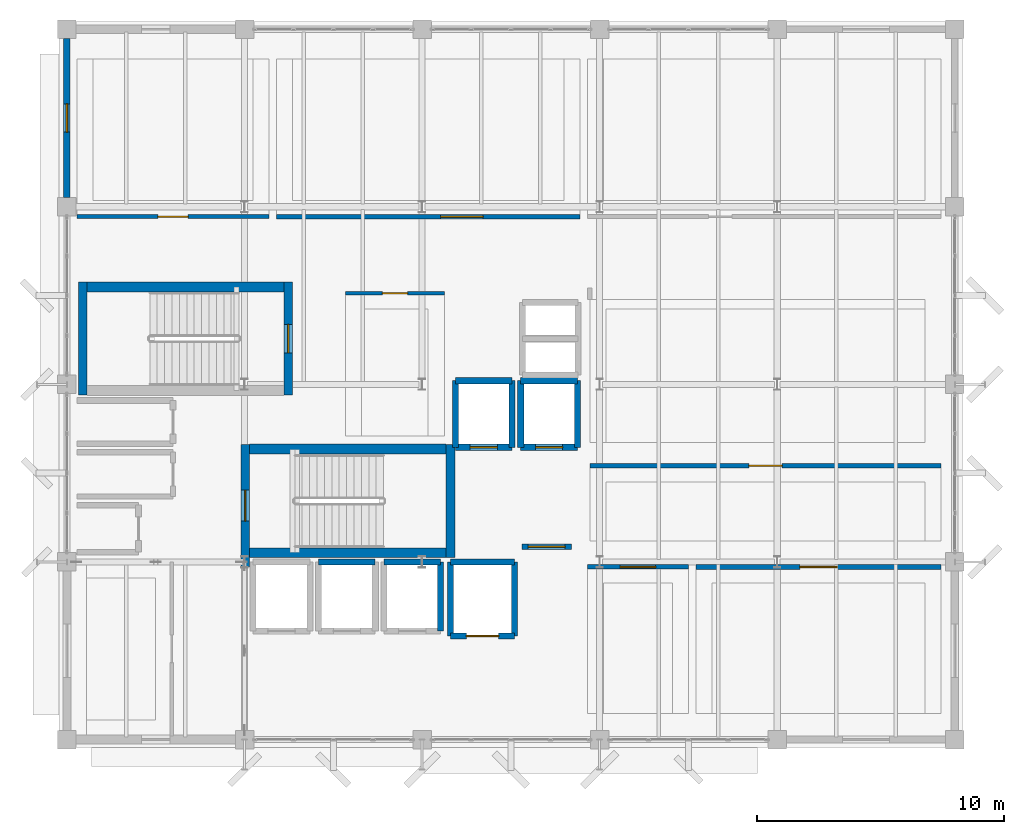
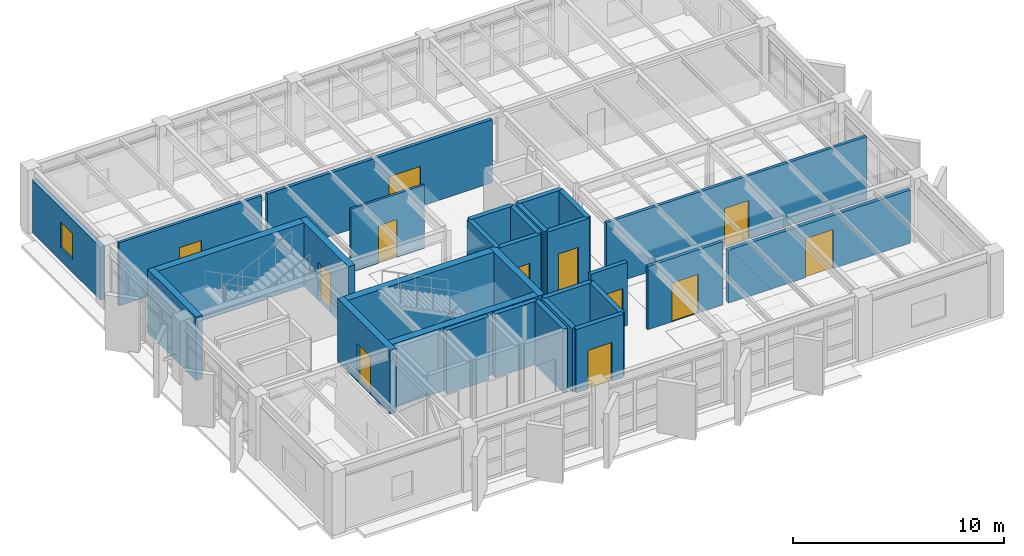
# One storey, part 17 of 24: 30 walls, 12 doors, 1 window, 13 openings.
"""IFC4 building model written with IfcOpenShell, lengths in metres."""

from ifc_helpers import new_model, si_unit, direction, frame, frame_2d, origin, place, context, subcontext, project, spatial, rectangle, extrude, material, layer, layer_set, type_object, element, fill, save


model = new_model("IFC4")

# Units and contexts
model_context = context("Model", 3, precision=1e-05, world=origin(), true_north=direction((0.0, 1.0)))
body_context = subcontext(model_context, "Body", "Model", "MODEL_VIEW")
ifc_project = project(units=[si_unit("LENGTHUNIT", "METRE"), si_unit("AREAUNIT", "SQUARE_METRE"), si_unit("VOLUMEUNIT", "CUBIC_METRE"), si_unit("PLANEANGLEUNIT", "RADIAN"), si_unit("MASSUNIT", "GRAM", prefix="KILO")], contexts=[model_context])

# Site, building, storey
site_placement = place(None, origin())
site = spatial("IfcSite", under=ifc_project, at=site_placement, CompositionType="ELEMENT")
building_placement = place(site_placement, origin())
building = spatial("IfcBuilding", under=site, at=building_placement, Name="Kandorven Conservatory and Botanical Research Centre", CompositionType="ELEMENT")
storey_placement = place(building_placement, frame((0.0, 0.0, 21.0)))
storey = spatial("IfcBuildingStorey", under=building, at=storey_placement, Name="L05", CompositionType="ELEMENT", Elevation=21.0)

# Walls
ifc_material_1 = material(Name="Concrete C40/50 (M50)", Category="concrete")
ifc_layer_1 = layer(ifc_material_1, 0.39990234375)
ifc_layer_set_1 = layer_set([ifc_layer_1], Name="Concrete C40/50 (M50)")
wall_type_1 = type_object("IfcWallType", Name="Wall_CW-RC-1", PredefinedType="SHEAR", material=ifc_layer_set_1)
for number, where, z_axis, x_axis, name in (
    (1, (13.39990234375, 13.574951171875, 0.0), (0.0, 0.0, 1.0), (1.0, 0.0, 0.0), "Core stair shear wall CW-RC-1 ST-T1 L05 side A"),
    (2, (13.39990234375, 17.77490234375, 0.0), (0.0, 0.0, 1.0), (1.0, 0.0, 0.0), "Core stair shear wall CW-RC-1 ST-T1 L05 side B"),
    (3, (14.800048828125, 24.35498046875, 0.0), (0.0, 0.0, 1.0), (-1.0, 0.0, 0.0), "Core stair shear wall CW-RC-1 ST-T2 L05 side A"),
):
    element("IfcWall", number, at=place(storey_placement, frame(where, z_axis=z_axis, x_axis=x_axis)), inside=storey, type_object=wall_type_1, Name=name, PredefinedType="SHEAR", context=body_context, shape_type="SweptSolid", body=[
        extrude(rectangle(XDim=7.97998046875, YDim=0.39990234375, at=frame_2d((3.989990234375, 0.0))), origin(), (0.0, 0.0, 1.0), 3.669921875),
    ])

# Wall, opening, door
ifc_material_2 = material(Name="Concrete C40/50 (M50)", Category="concrete")
ifc_layer_2 = layer(ifc_material_2, 0.35009765625)
ifc_layer_set_2 = layer_set([ifc_layer_2], Name="Concrete C40/50 (M50)")
wall_type_2 = type_object("IfcWallType", Name="Wall_CW-RC-2", PredefinedType="SHEAR", material=ifc_layer_set_2)
wall_1_placement = place(storey_placement, frame((13.22509765625, 13.0, 0.0), z_axis=(0.0, 0.0, 1.0), x_axis=(0.0, 1.0, 0.0)))
wall_1 = element("IfcWall", 4, at=wall_1_placement, inside=storey, type_object=wall_type_2, Name="Core stair shear wall CW-RC-2 ST-T1 L05 entry", PredefinedType="SHEAR", context=body_context, shape_type="SweptSolid", body=[
    extrude(rectangle(XDim=4.969970703125, YDim=0.35009765625, at=frame_2d((2.48486328125, 0.0))), origin(), (0.0, 0.0, 1.0), 3.669921875),
])
opening_1_placement = place(wall_1_placement, frame((1.860107421875, 0.0, 0.0)))
opening_1 = element("IfcOpeningElement", 5, at=opening_1_placement, cuts=wall_1, Name="Opening FD-1", PredefinedType="OPENING", context=body_context, shape_type="SweptSolid", body=[
    extrude(rectangle(XDim=1.25, YDim=2.199951171875, at=frame_2d((0.625, 1.10009765625))), frame((0.0, 0.18505859375, 0.0), z_axis=(0.0, -1.0, 0.0), x_axis=(1.0, 0.0, 0.0)), (0.0, 0.0, 1.0), 0.3701171875),
])
ifc_material_3 = material(Name="Galvanised hollow steel fire door assembly", Category="steel")
door_type_1 = type_object("IfcDoorType", Name="Door_FD-1", OperationType="NOTDEFINED", PredefinedType="DOOR", material=ifc_material_3)
door_1_placement = place(opening_1_placement, origin())
door_1 = element("IfcDoor", 6, at=door_1_placement, inside=storey, type_object=door_type_1, Name="Exit stair fire door FD-1 ST-T1 L05", OperationType="SINGLE_SWING_RIGHT", OverallHeight=2.199951171875, OverallWidth=1.25, PredefinedType="DOOR", context=body_context, shape_type="SweptSolid", body=[
    extrude(rectangle(XDim=1.25, YDim=2.199951171875, at=frame_2d((0.625, 1.10009765625))), frame((0.0, 0.02490234375, 0.0), z_axis=(0.0, -1.0, 0.0), x_axis=(1.0, 0.0, 0.0)), (0.0, 0.0, 1.0), 0.050048828125),
])
fill(opening_1, door_1)

# Wall
wall_2_placement = place(storey_placement, frame((21.554931640625, 13.3798828125, 0.0), z_axis=(0.0, 0.0, 1.0), x_axis=(0.0, 1.0, 0.0)))
element("IfcWall", 7, at=wall_2_placement, inside=storey, type_object=wall_type_2, Name="Core stair shear wall CW-RC-2 ST-T1 L05 far", PredefinedType="SHEAR", context=body_context, shape_type="SweptSolid", body=[
    extrude(rectangle(XDim=4.590087890625, YDim=0.35009765625, at=frame_2d((2.294921875, 0.0))), origin(), (0.0, 0.0, 1.0), 3.669921875),
])

# Wall, opening, door
wall_3_placement = place(storey_placement, frame((14.97509765625, 24.550048828125, 0.0), z_axis=(0.0, 0.0, 1.0), x_axis=(0.0, -1.0, 0.0)))
wall_3 = element("IfcWall", 8, at=wall_3_placement, inside=storey, type_object=wall_type_2, Name="Core stair shear wall CW-RC-2 ST-T2 L05 entry", PredefinedType="SHEAR", context=body_context, shape_type="SweptSolid", body=[
    extrude(rectangle(XDim=4.590087890625, YDim=0.35009765625, at=frame_2d((2.294921875, 0.0))), origin(), (0.0, 0.0, 1.0), 3.669921875),
])
opening_2_placement = place(wall_3_placement, frame((1.719970703125, 0.0, 0.0)))
opening_2 = element("IfcOpeningElement", 9, at=opening_2_placement, cuts=wall_3, Name="Opening FD-2", PredefinedType="OPENING", context=body_context, shape_type="SweptSolid", body=[
    extrude(rectangle(XDim=1.14990234375, YDim=2.199951171875, at=frame_2d((0.574951171875, 1.10009765625))), frame((0.0, 0.18505859375, 0.0), z_axis=(0.0, -1.0, 0.0), x_axis=(1.0, 0.0, 0.0)), (0.0, 0.0, 1.0), 0.3701171875),
])
ifc_material_4 = material(Name="Galvanised hollow steel fire door assembly", Category="steel")
door_type_2 = type_object("IfcDoorType", Name="Door_FD-2", OperationType="NOTDEFINED", PredefinedType="DOOR", material=ifc_material_4)
door_2_placement = place(opening_2_placement, origin())
door_2 = element("IfcDoor", 10, at=door_2_placement, inside=storey, type_object=door_type_2, Name="Exit stair fire door FD-2 ST-T2 L05", OperationType="SINGLE_SWING_RIGHT", OverallHeight=2.199951171875, OverallWidth=1.14990234375, PredefinedType="DOOR", context=body_context, shape_type="SweptSolid", body=[
    extrude(rectangle(XDim=1.14990234375, YDim=2.199951171875, at=frame_2d((0.574951171875, 1.10009765625))), frame((0.0, 0.02490234375, 0.0), z_axis=(0.0, -1.0, 0.0), x_axis=(1.0, 0.0, 0.0)), (0.0, 0.0, 1.0), 0.050048828125),
])
fill(opening_2, door_2)

# Wall
wall_4_placement = place(storey_placement, frame((6.64501953125, 24.550048828125, 0.0), z_axis=(0.0, 0.0, 1.0), x_axis=(0.0, -1.0, 0.0)))
element("IfcWall", 11, at=wall_4_placement, inside=storey, type_object=wall_type_2, Name="Core stair shear wall CW-RC-2 ST-T2 L05 far", PredefinedType="SHEAR", context=body_context, shape_type="SweptSolid", body=[
    extrude(rectangle(XDim=4.590087890625, YDim=0.35009765625, at=frame_2d((2.294921875, 0.0))), origin(), (0.0, 0.0, 1.0), 3.669921875),
])

# Wall, opening, door
wall_5_placement = place(storey_placement, frame((21.75, 17.85009765625, 0.0), z_axis=(0.0, 0.0, 1.0), x_axis=(1.0, 0.0, 0.0)))
wall_5 = element("IfcWall", 12, at=wall_5_placement, inside=storey, type_object=wall_type_2, Name="Lift shaft wall FFL-1 L05 S", PredefinedType="SHEAR", context=body_context, shape_type="SweptSolid", body=[
    extrude(rectangle(XDim=2.300048828125, YDim=0.25, at=frame_2d((1.14990234375, 0.0))), origin(), (0.0, 0.0, 1.0), 3.669921875),
])
opening_3_placement = place(wall_5_placement, frame((0.60009765625, 0.0, 0.0)))
opening_3 = element("IfcOpeningElement", 13, at=opening_3_placement, cuts=wall_5, Name="Opening LD-01", PredefinedType="OPENING", context=body_context, shape_type="SweptSolid", body=[
    extrude(rectangle(XDim=1.10009765625, YDim=2.199951171875, at=frame_2d((0.550048828125, 1.10009765625))), frame((0.0, 0.135009765625, 0.0), z_axis=(0.0, -1.0, 0.0), x_axis=(1.0, 0.0, 0.0)), (0.0, 0.0, 1.0), 0.27001953125),
])
ifc_material_5 = material(Name="Anodised aluminium sliding landing door", Category="aluminium")
door_type_3 = type_object("IfcDoorType", Name="Door_LD-01", OperationType="DOUBLE_DOOR_SLIDING", PredefinedType="DOOR", material=ifc_material_5)
door_3_placement = place(opening_3_placement, origin())
door_3 = element("IfcDoor", 14, at=door_3_placement, inside=storey, type_object=door_type_3, Name="Lift landing sliding door LD-01 (FFL-1 L05)", OperationType="DOUBLE_DOOR_SLIDING", OverallHeight=2.199951171875, OverallWidth=1.10009765625, PredefinedType="DOOR", context=body_context, shape_type="SweptSolid", body=[
    extrude(rectangle(XDim=1.10009765625, YDim=2.199951171875, at=frame_2d((0.550048828125, 1.10009765625))), frame((0.0, 0.02490234375, 0.0), z_axis=(0.0, -1.0, 0.0), x_axis=(1.0, 0.0, 0.0)), (0.0, 0.0, 1.0), 0.050048828125),
])
fill(opening_3, door_3)

# Walls
wall_6_placement = place(storey_placement, frame((21.75, 20.550048828125, 0.0), z_axis=(0.0, 0.0, 1.0), x_axis=(1.0, 0.0, 0.0)))
element("IfcWall", 15, at=wall_6_placement, inside=storey, type_object=wall_type_2, Name="Lift shaft wall FFL-1 L05 N", PredefinedType="SHEAR", context=body_context, shape_type="SweptSolid", body=[
    extrude(rectangle(XDim=2.300048828125, YDim=0.25, at=frame_2d((1.14990234375, 0.0))), origin(), (0.0, 0.0, 1.0), 3.669921875),
])
for number, where, z_axis, x_axis, name in (
    (16, (21.75, 17.85009765625, 0.0), (0.0, 0.0, 1.0), (0.0, 1.0, 0.0), "Lift shaft wall FFL-1 L05 W"),
    (17, (24.050048828125, 17.85009765625, 0.0), (0.0, 0.0, 1.0), (0.0, 1.0, 0.0), "Lift shaft wall FFL-1 L05 E"),
):
    element("IfcWall", number, at=place(storey_placement, frame(where, z_axis=z_axis, x_axis=x_axis)), inside=storey, type_object=wall_type_2, Name=name, PredefinedType="SHEAR", context=body_context, shape_type="SweptSolid", body=[
        extrude(rectangle(XDim=2.699951171875, YDim=0.25, at=frame_2d((1.35009765625, 0.0))), origin(), (0.0, 0.0, 1.0), 3.669921875),
    ])

# Wall, opening, door
wall_7_placement = place(storey_placement, frame((24.39990234375, 17.85009765625, 0.0), z_axis=(0.0, 0.0, 1.0), x_axis=(1.0, 0.0, 0.0)))
wall_7 = element("IfcWall", 18, at=wall_7_placement, inside=storey, type_object=wall_type_2, Name="Lift shaft wall FFL-2 L05 S", PredefinedType="SHEAR", context=body_context, shape_type="SweptSolid", body=[
    extrude(rectangle(XDim=2.300048828125, YDim=0.25, at=frame_2d((1.14990234375, 0.0))), origin(), (0.0, 0.0, 1.0), 3.669921875),
])
opening_4_placement = place(wall_7_placement, frame((0.60009765625, 0.0, 0.0)))
opening_4 = element("IfcOpeningElement", 19, at=opening_4_placement, cuts=wall_7, Name="Opening LD-01", PredefinedType="OPENING", context=body_context, shape_type="SweptSolid", body=[
    extrude(rectangle(XDim=1.10009765625, YDim=2.199951171875, at=frame_2d((0.550048828125, 1.10009765625))), frame((0.0, 0.135009765625, 0.0), z_axis=(0.0, -1.0, 0.0), x_axis=(1.0, 0.0, 0.0)), (0.0, 0.0, 1.0), 0.27001953125),
])
door_4_placement = place(opening_4_placement, origin())
door_4 = element("IfcDoor", 20, at=door_4_placement, inside=storey, type_object=door_type_3, Name="Lift landing sliding door LD-01 (FFL-2 L05)", OperationType="DOUBLE_DOOR_SLIDING", OverallHeight=2.199951171875, OverallWidth=1.10009765625, PredefinedType="DOOR", context=body_context, shape_type="SweptSolid", body=[
    extrude(rectangle(XDim=1.10009765625, YDim=2.199951171875, at=frame_2d((0.550048828125, 1.10009765625))), frame((0.0, 0.02490234375, 0.0), z_axis=(0.0, -1.0, 0.0), x_axis=(1.0, 0.0, 0.0)), (0.0, 0.0, 1.0), 0.050048828125),
])
fill(opening_4, door_4)

# Walls
wall_8_placement = place(storey_placement, frame((24.39990234375, 20.550048828125, 0.0), z_axis=(0.0, 0.0, 1.0), x_axis=(1.0, 0.0, 0.0)))
element("IfcWall", 21, at=wall_8_placement, inside=storey, type_object=wall_type_2, Name="Lift shaft wall FFL-2 L05 N", PredefinedType="SHEAR", context=body_context, shape_type="SweptSolid", body=[
    extrude(rectangle(XDim=2.300048828125, YDim=0.25, at=frame_2d((1.14990234375, 0.0))), origin(), (0.0, 0.0, 1.0), 3.669921875),
])
for number, where, z_axis, x_axis, name in (
    (22, (24.39990234375, 17.85009765625, 0.0), (0.0, 0.0, 1.0), (0.0, 1.0, 0.0), "Lift shaft wall FFL-2 L05 W"),
    (23, (26.699951171875, 17.85009765625, 0.0), (0.0, 0.0, 1.0), (0.0, 1.0, 0.0), "Lift shaft wall FFL-2 L05 E"),
):
    element("IfcWall", number, at=place(storey_placement, frame(where, z_axis=z_axis, x_axis=x_axis)), inside=storey, type_object=wall_type_2, Name=name, PredefinedType="SHEAR", context=body_context, shape_type="SweptSolid", body=[
        extrude(rectangle(XDim=2.699951171875, YDim=0.25, at=frame_2d((1.35009765625, 0.0))), origin(), (0.0, 0.0, 1.0), 3.669921875),
    ])
wall_9_placement = place(storey_placement, frame((16.199951171875, 13.199951171875, 0.0), z_axis=(0.0, 0.0, 1.0), x_axis=(1.0, 0.0, 0.0)))
element("IfcWall", 24, at=wall_9_placement, inside=storey, type_object=wall_type_2, Name="Lift shaft wall PL-2 L05 N", PredefinedType="SHEAR", context=body_context, shape_type="SweptSolid", body=[
    extrude(rectangle(XDim=2.300048828125, YDim=0.25, at=frame_2d((1.14990234375, 0.0))), origin(), (0.0, 0.0, 1.0), 3.669921875),
])
wall_10_placement = place(storey_placement, frame((18.85009765625, 13.199951171875, 0.0), z_axis=(0.0, 0.0, 1.0), x_axis=(1.0, 0.0, 0.0)))
element("IfcWall", 25, at=wall_10_placement, inside=storey, type_object=wall_type_2, Name="Lift shaft wall PL-3 L05 N", PredefinedType="SHEAR", context=body_context, shape_type="SweptSolid", body=[
    extrude(rectangle(XDim=2.2998046875, YDim=0.25, at=frame_2d((1.14990234375, 0.0))), origin(), (0.0, 0.0, 1.0), 3.669921875),
])
wall_11_placement = place(storey_placement, frame((21.14990234375, 10.39990234375, 0.0), z_axis=(0.0, 0.0, 1.0), x_axis=(0.0, 1.0, 0.0)))
element("IfcWall", 26, at=wall_11_placement, inside=storey, type_object=wall_type_2, Name="Lift shaft wall PL-3 L05 E", PredefinedType="SHEAR", context=body_context, shape_type="SweptSolid", body=[
    extrude(rectangle(XDim=2.800048828125, YDim=0.25, at=frame_2d((1.39990234375, 0.0))), origin(), (0.0, 0.0, 1.0), 3.669921875),
])

# Wall, opening, door
wall_12_placement = place(storey_placement, frame((21.550048828125, 10.199951171875, 0.0), z_axis=(0.0, 0.0, 1.0), x_axis=(1.0, 0.0, 0.0)))
wall_12 = element("IfcWall", 27, at=wall_12_placement, inside=storey, type_object=wall_type_2, Name="Lift shaft wall GL-1 L05 S", PredefinedType="SHEAR", context=body_context, shape_type="SweptSolid", body=[
    extrude(rectangle(XDim=2.599853515625, YDim=0.25, at=frame_2d((1.2998046875, 0.0))), origin(), (0.0, 0.0, 1.0), 3.669921875),
])
opening_5_placement = place(wall_12_placement, frame((0.64990234375, 0.0, 0.0)))
opening_5 = element("IfcOpeningElement", 28, at=opening_5_placement, cuts=wall_12, Name="Opening LD-02", PredefinedType="OPENING", context=body_context, shape_type="SweptSolid", body=[
    extrude(rectangle(XDim=1.300048828125, YDim=2.25, at=frame_2d((0.64990234375, 1.125))), frame((0.0, 0.135009765625, 0.0), z_axis=(0.0, -1.0, 0.0), x_axis=(1.0, 0.0, 0.0)), (0.0, 0.0, 1.0), 0.27001953125),
])
ifc_material_6 = material(Name="Anodised aluminium sliding landing door", Category="aluminium")
door_type_4 = type_object("IfcDoorType", Name="Door_LD-02", OperationType="DOUBLE_DOOR_SLIDING", PredefinedType="DOOR", material=ifc_material_6)
door_5_placement = place(opening_5_placement, origin())
door_5 = element("IfcDoor", 29, at=door_5_placement, inside=storey, type_object=door_type_4, Name="Lift landing sliding door LD-02 (GL-1 L05)", OperationType="DOUBLE_DOOR_SLIDING", OverallHeight=2.25, OverallWidth=1.300048828125, PredefinedType="DOOR", context=body_context, shape_type="SweptSolid", body=[
    extrude(rectangle(XDim=1.300048828125, YDim=2.25, at=frame_2d((0.64990234375, 1.125))), frame((0.0, 0.02490234375, 0.0), z_axis=(0.0, -1.0, 0.0), x_axis=(1.0, 0.0, 0.0)), (0.0, 0.0, 1.0), 0.050048828125),
])
fill(opening_5, door_5)

# Walls
wall_13_placement = place(storey_placement, frame((21.550048828125, 13.199951171875, 0.0), z_axis=(0.0, 0.0, 1.0), x_axis=(1.0, 0.0, 0.0)))
element("IfcWall", 30, at=wall_13_placement, inside=storey, type_object=wall_type_2, Name="Lift shaft wall GL-1 L05 N", PredefinedType="SHEAR", context=body_context, shape_type="SweptSolid", body=[
    extrude(rectangle(XDim=2.599853515625, YDim=0.25, at=frame_2d((1.2998046875, 0.0))), origin(), (0.0, 0.0, 1.0), 3.669921875),
])
for number, where, z_axis, x_axis, name in (
    (31, (21.550048828125, 10.199951171875, 0.0), (0.0, 0.0, 1.0), (0.0, 1.0, 0.0), "Lift shaft wall GL-1 L05 W"),
    (32, (24.14990234375, 10.199951171875, 0.0), (0.0, 0.0, 1.0), (0.0, 1.0, 0.0), "Lift shaft wall GL-1 L05 E"),
):
    element("IfcWall", number, at=place(storey_placement, frame(where, z_axis=z_axis, x_axis=x_axis)), inside=storey, type_object=wall_type_2, Name=name, PredefinedType="SHEAR", context=body_context, shape_type="SweptSolid", body=[
        extrude(rectangle(XDim=3.0, YDim=0.25, at=frame_2d((1.5, 0.0))), origin(), (0.0, 0.0, 1.0), 3.669921875),
    ])

# Wall, opening, window
ifc_material_7 = material(Name="Concrete C32/40 (M40)", Category="concrete")
ifc_layer_3 = layer(ifc_material_7, 0.260009765625)
ifc_layer_set_3 = layer_set([ifc_layer_3], Name="Concrete C32/40 (M40)")
wall_type_3 = type_object("IfcWallType", Name="Wall_EW-06", PredefinedType="STANDARD", material=ifc_layer_set_3)
wall_14_placement = place(storey_placement, frame((6.0, 27.97509765625, 0.0), z_axis=(0.0, 0.0, 1.0), x_axis=(0.0, 1.0, 0.0)))
wall_14 = element("IfcWall", 33, at=wall_14_placement, inside=storey, type_object=wall_type_3, Name="Tower concrete facade wall EW-06 W L05", PredefinedType="STANDARD", context=body_context, shape_type="SweptSolid", body=[
    extrude(rectangle(XDim=6.449951171875, YDim=0.260009765625, at=frame_2d((3.22509765625, 0.0))), origin(), (0.0, 0.0, 1.0), 3.050048828125),
])
opening_6_placement = place(wall_14_placement, frame((2.64990234375, 0.0, 0.75)))
opening_6 = element("IfcOpeningElement", 34, at=opening_6_placement, cuts=wall_14, Name="Opening W-39", PredefinedType="OPENING", context=body_context, shape_type="SweptSolid", body=[
    extrude(rectangle(XDim=1.14990234375, YDim=1.5, at=frame_2d((0.574951171875, 0.75))), frame((0.0, 0.139892578125, 0.0), z_axis=(0.0, -1.0, 0.0), x_axis=(1.0, 0.0, 0.0)), (0.0, 0.0, 1.0), 0.280029296875),
])
ifc_material_8 = material(Name="Double-glazed solar-control low-E glass", Category="glass")
window_type = type_object("IfcWindowType", Name="Win_W-39", PartitioningType="DOUBLE_PANEL_VERTICAL", PredefinedType="WINDOW", material=ifc_material_8)
window_placement = place(opening_6_placement, origin())
window = element("IfcWindow", 35, at=window_placement, inside=storey, type_object=window_type, Name="Tower recessed solar window W-39", OverallHeight=1.5, OverallWidth=1.14990234375, PartitioningType="SINGLE_PANEL", PredefinedType="WINDOW", context=body_context, shape_type="SweptSolid", body=[
    extrude(rectangle(XDim=1.14990234375, YDim=1.5, at=frame_2d((0.574951171875, 0.75))), frame((0.0, 0.030029296875, 0.0), z_axis=(0.0, -1.0, 0.0), x_axis=(1.0, 0.0, 0.0)), (0.0, 0.0, 1.0), 0.06005859375),
])
fill(opening_6, window)

# Wall, opening, door
ifc_material_9 = material(Name="Autoclaved aerated concrete blockwork masonry", Category="masonry")
ifc_layer_4 = layer(ifc_material_9, 0.2099609375)
ifc_layer_set_4 = layer_set([ifc_layer_4], Name="Autoclaved aerated concrete blockwork masonry")
wall_type_4 = type_object("IfcWallType", Name="Wall_IW-01", PredefinedType="PARTITIONING", material=ifc_layer_set_4)
wall_15_placement = place(storey_placement, frame((31.5, 13.0, 0.0), z_axis=(0.0, 0.0, 1.0), x_axis=(1.0, 0.0, 0.0)))
wall_15 = element("IfcWall", 36, at=wall_15_placement, inside=storey, type_object=wall_type_4, Name="Interior partition wall IW-01 (Seed Biology Research Laboratory L05)", PredefinedType="PARTITIONING", context=body_context, shape_type="SweptSolid", body=[
    extrude(rectangle(XDim=9.949951171875, YDim=0.2099609375, at=frame_2d((4.97509765625, 0.0))), origin(), (0.0, 0.0, 1.0), 3.06005859375),
])
opening_7_placement = place(wall_15_placement, frame((4.215087890625, 0.0, 0.0)))
opening_7 = element("IfcOpeningElement", 37, at=opening_7_placement, cuts=wall_15, Name="Opening D-26", PredefinedType="OPENING", context=body_context, shape_type="SweptSolid", body=[
    extrude(rectangle(XDim=1.52001953125, YDim=2.260009765625, at=frame_2d((0.760009765625, 1.1298828125))), frame((0.0, 0.114990234375, 0.0), z_axis=(0.0, -1.0, 0.0), x_axis=(1.0, 0.0, 0.0)), (0.0, 0.0, 1.0), 0.22998046875),
])
ifc_material_10 = material(Name="Solid core acoustic teak-veneered timber leaf", Category="wood")
door_type_5 = type_object("IfcDoorType", Name="Door_D-26", OperationType="NOTDEFINED", PredefinedType="DOOR", material=ifc_material_10)
door_6_placement = place(opening_7_placement, origin())
door_6 = element("IfcDoor", 38, at=door_6_placement, inside=storey, type_object=door_type_5, Name="Interior door D-26 to Seed Biology Research Laboratory L05", OperationType="SINGLE_SWING_RIGHT", OverallHeight=2.260009765625, OverallWidth=1.52001953125, PredefinedType="DOOR", context=body_context, shape_type="SweptSolid", body=[
    extrude(rectangle(XDim=1.52001953125, YDim=2.260009765625, at=frame_2d((0.760009765625, 1.1298828125))), frame((0.0, 0.02490234375, 0.0), z_axis=(0.0, -1.0, 0.0), x_axis=(1.0, 0.0, 0.0)), (0.0, 0.0, 1.0), 0.050048828125),
])
fill(opening_7, door_6)

ifc_material_11 = material(Name="Autoclaved aerated concrete blockwork masonry", Category="masonry")
ifc_layer_5 = layer(ifc_material_11, 0.179931640625)
ifc_layer_set_5 = layer_set([ifc_layer_5], Name="Autoclaved aerated concrete blockwork masonry")
wall_type_5 = type_object("IfcWallType", Name="Wall_IW-03", PredefinedType="PARTITIONING", material=ifc_layer_set_5)
wall_16_placement = place(storey_placement, frame((14.5, 27.199951171875, 0.0), z_axis=(0.0, 0.0, 1.0), x_axis=(1.0, 0.0, 0.0)))
wall_16 = element("IfcWall", 39, at=wall_16_placement, inside=storey, type_object=wall_type_5, Name="Interior partition wall IW-03 (Genomics and Bioinformatics Laboratory L05)", PredefinedType="PARTITIONING", context=body_context, shape_type="SweptSolid", body=[
    extrude(rectangle(XDim=12.300048828125, YDim=0.179931640625, at=frame_2d((6.14990234375, 0.0))), origin(), (0.0, 0.0, 1.0), 3.64990234375),
])
opening_8_placement = place(wall_16_placement, frame((6.652099609375, 0.0, 0.0)))
opening_8 = element("IfcOpeningElement", 40, at=opening_8_placement, cuts=wall_16, Name="Opening D-28", PredefinedType="OPENING", context=body_context, shape_type="SweptSolid", body=[
    extrude(rectangle(XDim=1.719970703125, YDim=2.320068359375, at=frame_2d((0.85986328125, 1.16015625))), frame((0.0, 0.099853515625, 0.0), z_axis=(0.0, -1.0, 0.0), x_axis=(1.0, 0.0, 0.0)), (0.0, 0.0, 1.0), 0.199951171875),
])
ifc_material_12 = material(Name="Solid core acoustic teak-veneered timber leaf", Category="wood")
door_type_6 = type_object("IfcDoorType", Name="Door_D-28", OperationType="NOTDEFINED", PredefinedType="DOOR", material=ifc_material_12)
door_7_placement = place(opening_8_placement, frame((1.719970703125, 0.0, 0.0), z_axis=(0.0, 0.0, 1.0), x_axis=(-1.0, 0.0, 0.0)))
door_7 = element("IfcDoor", 41, at=door_7_placement, inside=storey, type_object=door_type_6, Name="Interior door D-28 to Genomics and Bioinformatics Laboratory L05", OperationType="DOUBLE_DOOR_SINGLE_SWING", OverallHeight=2.320068359375, OverallWidth=1.719970703125, PredefinedType="DOOR", context=body_context, shape_type="SweptSolid", body=[
    extrude(rectangle(XDim=1.719970703125, YDim=2.320068359375, at=frame_2d((0.85986328125, 1.16015625))), frame((0.0, 0.02490234375, 0.0), z_axis=(0.0, -1.0, 0.0), x_axis=(1.0, 0.0, 0.0)), (0.0, 0.0, 1.0), 0.050048828125),
])
fill(opening_8, door_7)

ifc_material_13 = material(Name="Fire-rated acoustic gypsum board partition", Category="gypsum")
ifc_layer_6 = layer(ifc_material_13, 0.135986328125)
ifc_layer_set_6 = layer_set([ifc_layer_6], Name="Fire-rated acoustic gypsum board partition")
wall_type_6 = type_object("IfcWallType", Name="Wall_IW-14", PredefinedType="PARTITIONING", material=ifc_layer_set_6)
wall_17_placement = place(storey_placement, frame((17.300048828125, 24.10009765625, 0.0), z_axis=(0.0, 0.0, 1.0), x_axis=(1.0, 0.0, 0.0)))
wall_17 = element("IfcWall", 42, at=wall_17_placement, inside=storey, type_object=wall_type_6, Name="Interior partition wall IW-14 (Botanical Specimen Preparation Laboratory L05)", PredefinedType="PARTITIONING", context=body_context, shape_type="SweptSolid", body=[
    extrude(rectangle(XDim=4.0, YDim=0.135986328125, at=frame_2d((2.0, 0.0))), origin(), (0.0, 0.0, 1.0), 3.64990234375),
])
opening_9_placement = place(wall_17_placement, frame((1.489990234375, 0.0, 0.0)))
opening_9 = element("IfcOpeningElement", 43, at=opening_9_placement, cuts=wall_17, Name="Opening D-21", PredefinedType="OPENING", context=body_context, shape_type="SweptSolid", body=[
    extrude(rectangle(XDim=1.02001953125, YDim=2.179931640625, at=frame_2d((0.510009765625, 1.08984375))), frame((0.0, 0.077880859375, 0.0), z_axis=(0.0, -1.0, 0.0), x_axis=(1.0, 0.0, 0.0)), (0.0, 0.0, 1.0), 0.156005859375),
])
ifc_material_14 = material(Name="Solid core acoustic teak-veneered timber leaf", Category="wood")
door_type_7 = type_object("IfcDoorType", Name="Door_D-21", OperationType="NOTDEFINED", PredefinedType="DOOR", material=ifc_material_14)
door_8_placement = place(opening_9_placement, origin())
door_8 = element("IfcDoor", 44, at=door_8_placement, inside=storey, type_object=door_type_7, Name="Interior door D-21 to Botanical Specimen Preparation Laboratory L05", OperationType="SINGLE_SWING_LEFT", OverallHeight=2.179931640625, OverallWidth=1.02001953125, PredefinedType="DOOR", context=body_context, shape_type="SweptSolid", body=[
    extrude(rectangle(XDim=1.02001953125, YDim=2.179931640625, at=frame_2d((0.510009765625, 1.08984375))), frame((0.0, 0.02490234375, 0.0), z_axis=(0.0, -1.0, 0.0), x_axis=(1.0, 0.0, 0.0)), (0.0, 0.0, 1.0), 0.050048828125),
])
fill(opening_9, door_8)

ifc_material_15 = material(Name="Autoclaved aerated concrete blockwork masonry", Category="masonry")
ifc_layer_7 = layer(ifc_material_15, 0.157958984375)
ifc_layer_set_7 = layer_set([ifc_layer_7], Name="Autoclaved aerated concrete blockwork masonry")
wall_type_7 = type_object("IfcWallType", Name="Wall_IW-16", PredefinedType="PARTITIONING", material=ifc_layer_set_7)
wall_18_placement = place(storey_placement, frame((6.39990234375, 27.199951171875, 0.0), z_axis=(0.0, 0.0, 1.0), x_axis=(1.0, 0.0, 0.0)))
wall_18 = element("IfcWall", 45, at=wall_18_placement, inside=storey, type_object=wall_type_7, Name="Interior partition wall IW-16 (Ethnobotany Field Specimen Studio L05)", PredefinedType="PARTITIONING", context=body_context, shape_type="SweptSolid", body=[
    extrude(rectangle(XDim=7.800048828125, YDim=0.157958984375, at=frame_2d((3.89990234375, 0.0))), origin(), (0.0, 0.0, 1.0), 3.64990234375),
])
opening_10_placement = place(wall_18_placement, frame((3.2900390625, 0.0, 0.0)))
opening_10 = element("IfcOpeningElement", 46, at=opening_10_placement, cuts=wall_18, Name="Opening D-23", PredefinedType="OPENING", context=body_context, shape_type="SweptSolid", body=[
    extrude(rectangle(XDim=1.219970703125, YDim=2.219970703125, at=frame_2d((0.60986328125, 1.10986328125))), frame((0.0, 0.0888671875, 0.0), z_axis=(0.0, -1.0, 0.0), x_axis=(1.0, 0.0, 0.0)), (0.0, 0.0, 1.0), 0.177978515625),
])
ifc_material_16 = material(Name="Solid core acoustic teak-veneered timber leaf", Category="wood")
door_type_8 = type_object("IfcDoorType", Name="Door_D-23", OperationType="NOTDEFINED", PredefinedType="DOOR", material=ifc_material_16)
door_9_placement = place(opening_10_placement, origin())
door_9 = element("IfcDoor", 47, at=door_9_placement, inside=storey, type_object=door_type_8, Name="Interior door D-23 to Ethnobotany Field Specimen Studio L05", OperationType="SINGLE_SWING_LEFT", OverallHeight=2.219970703125, OverallWidth=1.219970703125, PredefinedType="DOOR", context=body_context, shape_type="SweptSolid", body=[
    extrude(rectangle(XDim=1.219970703125, YDim=2.219970703125, at=frame_2d((0.60986328125, 1.10986328125))), frame((0.0, 0.02490234375, 0.0), z_axis=(0.0, -1.0, 0.0), x_axis=(1.0, 0.0, 0.0)), (0.0, 0.0, 1.0), 0.050048828125),
])
fill(opening_10, door_9)

ifc_material_17 = material(Name="Autoclaved aerated concrete blockwork masonry", Category="masonry")
ifc_layer_8 = layer(ifc_material_17, 0.172119140625)
ifc_layer_set_8 = layer_set([ifc_layer_8], Name="Autoclaved aerated concrete blockwork masonry")
wall_type_8 = type_object("IfcWallType", Name="Wall_IW-17", PredefinedType="PARTITIONING", material=ifc_layer_set_8)
wall_19_placement = place(storey_placement, frame((27.199951171875, 17.10009765625, 0.0), z_axis=(0.0, 0.0, 1.0), x_axis=(1.0, 0.0, 0.0)))
wall_19 = element("IfcWall", 48, at=wall_19_placement, inside=storey, type_object=wall_type_8, Name="Interior partition wall IW-17 (Plant Pathology Research Laboratory L05)", PredefinedType="PARTITIONING", context=body_context, shape_type="SweptSolid", body=[
    extrude(rectangle(XDim=14.25, YDim=0.172119140625, at=frame_2d((7.125, 0.0))), origin(), (0.0, 0.0, 1.0), 3.64990234375),
])
opening_11_placement = place(wall_19_placement, frame((6.455078125, 0.0, 0.0)))
opening_11 = element("IfcOpeningElement", 49, at=opening_11_placement, cuts=wall_19, Name="Opening D-24", PredefinedType="OPENING", context=body_context, shape_type="SweptSolid", body=[
    extrude(rectangle(XDim=1.340087890625, YDim=2.219970703125, at=frame_2d((0.669921875, 1.10986328125))), frame((0.0, 0.095947265625, 0.0), z_axis=(0.0, -1.0, 0.0), x_axis=(1.0, 0.0, 0.0)), (0.0, 0.0, 1.0), 0.192138671875),
])
ifc_material_18 = material(Name="Solid core acoustic teak-veneered timber leaf", Category="wood")
door_type_9 = type_object("IfcDoorType", Name="Door_D-24", OperationType="NOTDEFINED", PredefinedType="DOOR", material=ifc_material_18)
door_10_placement = place(opening_11_placement, origin())
door_10 = element("IfcDoor", 50, at=door_10_placement, inside=storey, type_object=door_type_9, Name="Interior door D-24 to Plant Pathology Research Laboratory L05", OperationType="SINGLE_SWING_RIGHT", OverallHeight=2.219970703125, OverallWidth=1.340087890625, PredefinedType="DOOR", context=body_context, shape_type="SweptSolid", body=[
    extrude(rectangle(XDim=1.340087890625, YDim=2.219970703125, at=frame_2d((0.669921875, 1.10986328125))), frame((0.0, 0.02490234375, 0.0), z_axis=(0.0, -1.0, 0.0), x_axis=(1.0, 0.0, 0.0)), (0.0, 0.0, 1.0), 0.050048828125),
])
fill(opening_11, door_10)

ifc_material_19 = material(Name="Autoclaved aerated concrete blockwork masonry", Category="masonry")
ifc_layer_9 = layer(ifc_material_19, 0.18798828125)
ifc_layer_set_9 = layer_set([ifc_layer_9], Name="Autoclaved aerated concrete blockwork masonry")
wall_type_9 = type_object("IfcWallType", Name="Wall_IW-18", PredefinedType="PARTITIONING", material=ifc_layer_set_9)
wall_20_placement = place(storey_placement, frame((27.10009765625, 13.0, 0.0), z_axis=(0.0, 0.0, 1.0), x_axis=(1.0, 0.0, 0.0)))
wall_20 = element("IfcWall", 51, at=wall_20_placement, inside=storey, type_object=wall_type_9, Name="Interior partition wall IW-18 (Phytochemistry Research Laboratory L05)", PredefinedType="PARTITIONING", context=body_context, shape_type="SweptSolid", body=[
    extrude(rectangle(XDim=4.099853515625, YDim=0.18798828125, at=frame_2d((2.0498046875, 0.0))), origin(), (0.0, 0.0, 1.0), 3.64990234375),
])
opening_12_placement = place(wall_20_placement, frame((1.330078125, 0.0, 0.0)))
opening_12 = element("IfcOpeningElement", 52, at=opening_12_placement, cuts=wall_20, Name="Opening D-25", PredefinedType="OPENING", context=body_context, shape_type="SweptSolid", body=[
    extrude(rectangle(XDim=1.43994140625, YDim=2.239990234375, at=frame_2d((0.719970703125, 1.1201171875))), frame((0.0, 0.10400390625, 0.0), z_axis=(0.0, -1.0, 0.0), x_axis=(1.0, 0.0, 0.0)), (0.0, 0.0, 1.0), 0.2080078125),
])
ifc_material_20 = material(Name="Solid core acoustic teak-veneered timber leaf", Category="wood")
door_type_10 = type_object("IfcDoorType", Name="Door_D-25", OperationType="NOTDEFINED", PredefinedType="DOOR", material=ifc_material_20)
door_11_placement = place(opening_12_placement, frame((1.43994140625, 0.0, 0.0), z_axis=(0.0, 0.0, 1.0), x_axis=(-1.0, 0.0, 0.0)))
door_11 = element("IfcDoor", 53, at=door_11_placement, inside=storey, type_object=door_type_10, Name="Interior door D-25 to Phytochemistry Research Laboratory L05", OperationType="SINGLE_SWING_LEFT", OverallHeight=2.239990234375, OverallWidth=1.43994140625, PredefinedType="DOOR", context=body_context, shape_type="SweptSolid", body=[
    extrude(rectangle(XDim=1.43994140625, YDim=2.239990234375, at=frame_2d((0.719970703125, 1.1201171875))), frame((0.0, 0.02490234375, 0.0), z_axis=(0.0, -1.0, 0.0), x_axis=(1.0, 0.0, 0.0)), (0.0, 0.0, 1.0), 0.050048828125),
])
fill(opening_12, door_11)

ifc_material_21 = material(Name="Concrete C32/40 (M40)", Category="concrete")
ifc_layer_10 = layer(ifc_material_21, 0.22509765625)
ifc_layer_set_10 = layer_set([ifc_layer_10], Name="Concrete C32/40 (M40)")
wall_type_10 = type_object("IfcWallType", Name="Wall_IW-FR-2", PredefinedType="SOLIDWALL", material=ifc_layer_set_10)
wall_21_placement = place(storey_placement, frame((24.449951171875, 13.820068359375, 0.0), z_axis=(0.0, 0.0, 1.0), x_axis=(1.0, 0.0, 0.0)))
wall_21 = element("IfcWall", 54, at=wall_21_placement, inside=storey, type_object=wall_type_10, Name="Interior fire partition wall IW-FR-2 (Firefighting Lift Lobby L05)", PredefinedType="SOLIDWALL", context=body_context, shape_type="SweptSolid", body=[
    extrude(rectangle(XDim=2.0, YDim=0.22509765625, at=frame_2d((1.0, 0.0))), origin(), (0.0, 0.0, 1.0), 3.64990234375),
])
opening_13_placement = place(wall_21_placement, frame((0.25, 0.0, 0.0)))
opening_13 = element("IfcOpeningElement", 55, at=opening_13_placement, cuts=wall_21, Name="Opening FD-3", PredefinedType="OPENING", context=body_context, shape_type="SweptSolid", body=[
    extrude(rectangle(XDim=1.5, YDim=2.199951171875, at=frame_2d((0.75, 1.10009765625))), frame((0.0, 0.12255859375, 0.0), z_axis=(0.0, -1.0, 0.0), x_axis=(1.0, 0.0, 0.0)), (0.0, 0.0, 1.0), 0.2451171875),
])
ifc_material_22 = material(Name="Galvanised hollow steel fire door assembly", Category="steel")
door_type_11 = type_object("IfcDoorType", Name="Door_FD-3", OperationType="NOTDEFINED", PredefinedType="DOOR", material=ifc_material_22)
door_12_placement = place(opening_13_placement, origin())
door_12 = element("IfcDoor", 56, at=door_12_placement, inside=storey, type_object=door_type_11, Name="Interior door FD-3 to Firefighting Lift Lobby L05", OperationType="SINGLE_SWING_LEFT", OverallHeight=2.199951171875, OverallWidth=1.5, PredefinedType="DOOR", context=body_context, shape_type="SweptSolid", body=[
    extrude(rectangle(XDim=1.5, YDim=2.199951171875, at=frame_2d((0.75, 1.10009765625))), frame((0.0, 0.02490234375, 0.0), z_axis=(0.0, -1.0, 0.0), x_axis=(1.0, 0.0, 0.0)), (0.0, 0.0, 1.0), 0.050048828125),
])
fill(opening_13, door_12)

save(model, "model.ifc")
